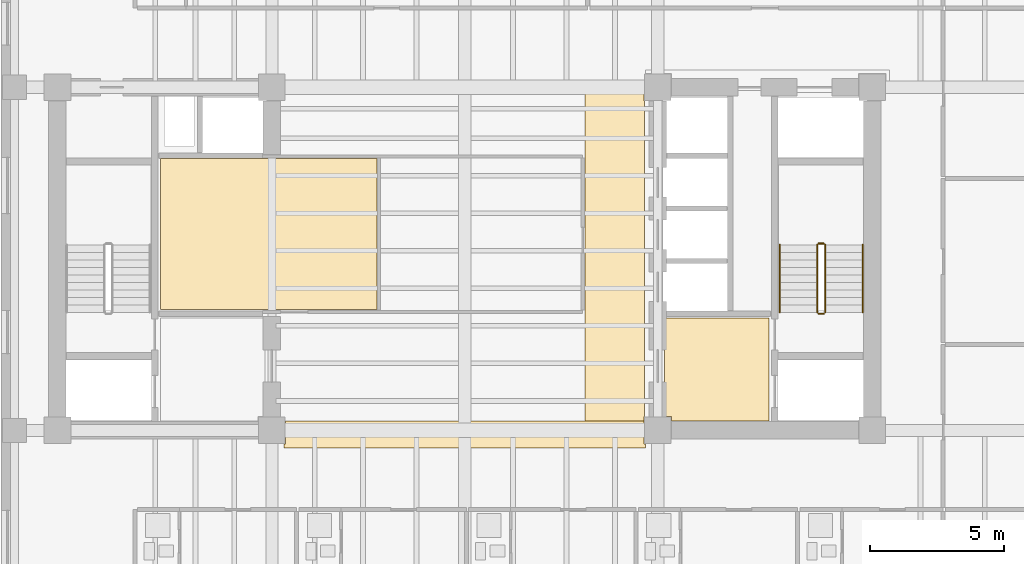
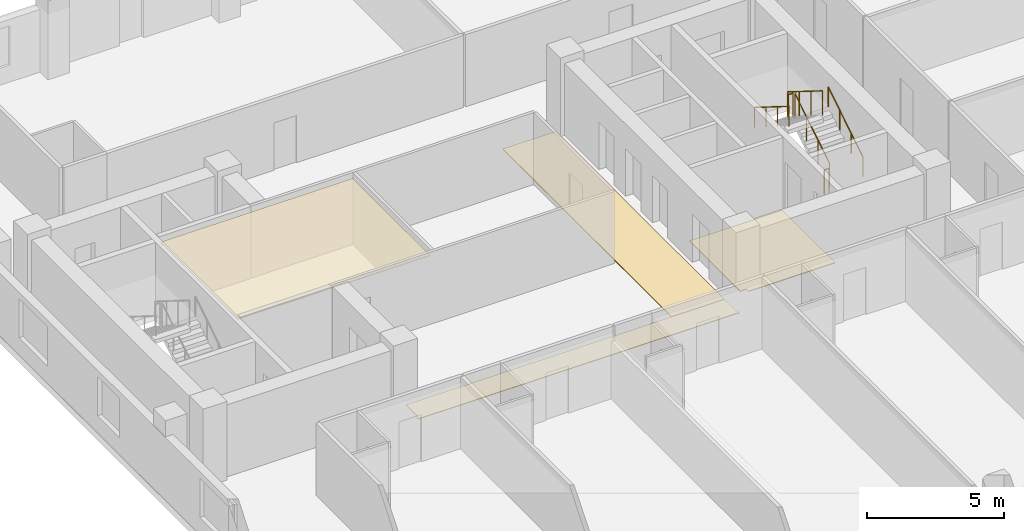
# One storey, part 8 of 10: 6 railings, 4 coverings.
"""IFC4 building model written with IfcOpenShell, lengths in metres."""

from ifc_helpers import new_model, si_unit, direction, frame, origin, origin_2d, place, context, subcontext, project, spatial, polyline, circle, outline, extrude, material, layer, layer_set, type_object, element, save


model = new_model("IFC4")

# Units and contexts
model_context = context("Model", 3, precision=1e-05, world=origin(), true_north=direction((0.0, 1.0)))
body_context = subcontext(model_context, "Body", "Model", "MODEL_VIEW")
ifc_project = project(units=[si_unit("LENGTHUNIT", "METRE"), si_unit("AREAUNIT", "SQUARE_METRE"), si_unit("VOLUMEUNIT", "CUBIC_METRE"), si_unit("PLANEANGLEUNIT", "RADIAN"), si_unit("MASSUNIT", "GRAM", prefix="KILO")], contexts=[model_context])

# Site, building, storey
site_placement = place(None, origin())
site = spatial("IfcSite", under=ifc_project, at=site_placement, CompositionType="ELEMENT")
building_placement = place(site_placement, origin())
building = spatial("IfcBuilding", under=site, at=building_placement, Name="Kranthara Brick Stack", CompositionType="ELEMENT")
storey_placement = place(building_placement, frame((0.0, 0.0, 151.800048828125)))
storey = spatial("IfcBuildingStorey", under=building, at=storey_placement, Name="L38", CompositionType="ELEMENT", Elevation=151.800048828125)

# Coverings
ifc_material_1 = material(Name="Perforated mineral-fibre acoustic ceiling tile", Category="other")
ifc_layer_1 = layer(ifc_material_1, 0.02490234375)
ifc_layer_set_1 = layer_set([ifc_layer_1], Name="Perforated mineral-fibre acoustic ceiling tile")
covering_type_1 = type_object("IfcCoveringType", Name="COV-CEIL-ACOUSTIC", PredefinedType="CEILING", material=ifc_layer_set_1)
covering_1_placement = place(storey_placement, frame((0.0, 0.0, 2.929931640625)))
element("IfcCovering", 1, at=covering_1_placement, inside=storey, type_object=covering_type_1, Name="L38 L38 Hotel Club Reading Lounge Acoustic Ceiling", PredefinedType="CEILING", context=body_context, shape_type="SweptSolid", body=[
    extrude(outline(polyline([(24.719970703125, 25.300048828125), (24.719970703125, 30.93994140625), (16.64990234375, 30.93994140625), (16.64990234375, 25.300048828125), (24.719970703125, 25.300048828125)])), origin(), (0.0, 0.0, 1.0), 0.02490234375),
])
ifc_material_2 = material(Name="Honed terrazzo and porcelain floor finish", Category="stone")
ifc_layer_2 = layer(ifc_material_2, 0.030029296875)
ifc_layer_set_2 = layer_set([ifc_layer_2], Name="Honed terrazzo and porcelain floor finish")
covering_type_2 = type_object("IfcCoveringType", Name="COV-FLOR-STONE", PredefinedType="FLOORING", material=ifc_layer_set_2)
covering_2_placement = place(storey_placement, origin())
element("IfcCovering", 2, at=covering_2_placement, inside=storey, type_object=covering_type_2, Name="L38 Lift Lobby Stone Flooring", PredefinedType="FLOORING", context=body_context, shape_type="SweptSolid", body=[
    extrude(outline(polyline([(35.449951171875, 25.0), (39.35009765625, 25.0), (39.35009765625, 21.14990234375), (35.7099609375, 21.14990234375), (35.7099609375, 21.31005859375), (35.449951171875, 21.31005859375), (35.449951171875, 25.0)])), origin(), (0.0, 0.0, 1.0), 0.030029296875),
])
covering_3_placement = place(storey_placement, origin())
element("IfcCovering", 3, at=covering_3_placement, inside=storey, type_object=covering_type_2, Name="L38 Lift Lobby Stone Flooring", PredefinedType="FLOORING", context=body_context, shape_type="SweptSolid", body=[
    extrude(outline(polyline([(32.47998046875, 33.449951171875), (34.68994140625, 33.449951171875), (34.68994140625, 33.090087890625), (34.699951171875, 33.090087890625), (34.699951171875, 21.31005859375), (34.68994140625, 21.31005859375), (34.68994140625, 21.14990234375), (32.47998046875, 21.14990234375), (32.47998046875, 33.449951171875)])), origin(), (0.0, 0.0, 1.0), 0.030029296875),
])
covering_4_placement = place(storey_placement, origin())
element("IfcCovering", 4, at=covering_4_placement, inside=storey, type_object=covering_type_2, Name="L38 Lift Lobby Stone Flooring", PredefinedType="FLOORING", context=body_context, shape_type="SweptSolid", body=[
    extrude(outline(polyline([(21.25, 20.2900390625), (21.31005859375, 20.2900390625), (21.31005859375, 21.14990234375), (32.47998046875, 21.14990234375), (34.68994140625, 21.14990234375), (34.68994140625, 20.2900390625), (34.75, 20.2900390625), (34.75, 20.14990234375), (21.25, 20.14990234375), (21.25, 20.2900390625)])), origin(), (0.0, 0.0, 1.0), 0.030029296875),
])

# Railings
ifc_material_3 = material(Name="Painted galvanized steel stair guardrail", Category="steel")
railing_type_1 = type_object("IfcRailingType", Name="RL-STAIR-GUARD-1100", PredefinedType="GUARDRAIL", material=ifc_material_3)
railing_1_placement = place(storey_placement, frame((41.449951171875, 25.199951171875, 0.175048828125)))
element("IfcRailing", 5, at=railing_1_placement, inside=storey, type_object=railing_type_1, Name="L38 ST02 stair guard 1", PredefinedType="GUARDRAIL", context=body_context, shape_type="SweptSolid", body=[
    extrude(circle(Radius=0.02392578125, at=origin_2d()), frame((0.0, 0.0, 1.076171875), z_axis=(0.0, 0.848007534815, 0.529984170421), x_axis=(-1.0, 0.0, 0.0)), (0.0, 0.0, 1.0), 2.9716796875),
    extrude(circle(Radius=0.02099609375, at=origin_2d()), origin(), (0.0, 0.0, 1.0), 1.052001953125),
    extrude(circle(Radius=0.02099609375, at=origin_2d()), frame((0.0, 0.840087890625, 0.52490234375)), (0.0, 0.0, 1.0), 1.052001953125),
    extrude(circle(Radius=0.02099609375, at=origin_2d()), frame((0.0, 1.679931640625, 1.050048828125)), (0.0, 0.0, 1.0), 1.052001953125),
    extrude(circle(Radius=0.02099609375, at=origin_2d()), frame((0.0, 2.52001953125, 1.574951171875)), (0.0, 0.0, 1.0), 1.052001953125),
])
railing_2_placement = place(storey_placement, frame((41.39990234375, 27.77001953125, 1.75)))
element("IfcRailing", 6, at=railing_2_placement, inside=storey, type_object=railing_type_1, Name="L38 ST02 stair guard 2", PredefinedType="GUARDRAIL", context=body_context, shape_type="SweptSolid", body=[
    extrude(circle(Radius=0.02392578125, at=origin_2d()), frame((0.0, 0.0, 1.076171875), z_axis=(-1.0, 0.0, 0.0), x_axis=(0.0, -1.0, 0.0)), (0.0, 0.0, 1.0), 0.199951171875),
    extrude(circle(Radius=0.02099609375, at=origin_2d()), origin(), (0.0, 0.0, 1.0), 1.052001953125),
    extrude(circle(Radius=0.02099609375, at=origin_2d()), frame((-0.199951171875, 0.0, 0.0)), (0.0, 0.0, 1.0), 1.052001953125),
])
railing_3_placement = place(storey_placement, frame((41.14990234375, 27.719970703125, 1.925048828125)))
element("IfcRailing", 7, at=railing_3_placement, inside=storey, type_object=railing_type_1, Name="L38 ST02 stair guard 3", PredefinedType="GUARDRAIL", context=body_context, shape_type="SweptSolid", body=[
    extrude(circle(Radius=0.02392578125, at=origin_2d()), frame((0.0, 0.0, 1.076171875), z_axis=(0.0, -0.848007534815, 0.529984170421), x_axis=(1.0, 0.0, 0.0)), (0.0, 0.0, 1.0), 2.9716796875),
    extrude(circle(Radius=0.02099609375, at=origin_2d()), origin(), (0.0, 0.0, 1.0), 1.052001953125),
    extrude(circle(Radius=0.02099609375, at=origin_2d()), frame((0.0, -0.840087890625, 0.52490234375)), (0.0, 0.0, 1.0), 1.052001953125),
    extrude(circle(Radius=0.02099609375, at=origin_2d()), frame((0.0, -1.679931640625, 1.050048828125)), (0.0, 0.0, 1.0), 1.052001953125),
    extrude(circle(Radius=0.02099609375, at=origin_2d()), frame((0.0, -2.52001953125, 1.574951171875)), (0.0, 0.0, 1.0), 1.052001953125),
])
railing_4_placement = place(storey_placement, frame((41.39990234375, 25.14990234375, 0.0)))
element("IfcRailing", 8, at=railing_4_placement, inside=storey, type_object=railing_type_1, Name="L38 ST02 stair guard 4", PredefinedType="GUARDRAIL", context=body_context, shape_type="SweptSolid", body=[
    extrude(circle(Radius=0.02392578125, at=origin_2d()), frame((0.0, 0.0, 1.076171875), z_axis=(-1.0, 0.0, 0.0), x_axis=(0.0, -1.0, 0.0)), (0.0, 0.0, 1.0), 0.199951171875),
    extrude(circle(Radius=0.02099609375, at=origin_2d()), origin(), (0.0, 0.0, 1.0), 1.052001953125),
    extrude(circle(Radius=0.02099609375, at=origin_2d()), frame((-0.199951171875, 0.0, 0.0)), (0.0, 0.0, 1.0), 1.052001953125),
])
ifc_material_4 = material(Name="Brushed stainless steel tubular handrail", Category="steel")
railing_type_2 = type_object("IfcRailingType", Name="RL-STAIR-HAND-900", PredefinedType="HANDRAIL", material=ifc_material_4)
railing_5_placement = place(storey_placement, frame((42.85009765625, 25.199951171875, 0.175048828125)))
element("IfcRailing", 9, at=railing_5_placement, inside=storey, type_object=railing_type_2, Name="L38 ST02 stair handrail 1", PredefinedType="HANDRAIL", context=body_context, shape_type="SweptSolid", body=[
    extrude(circle(Radius=0.02392578125, at=origin_2d()), frame((0.0, 0.0, 0.8759765625), z_axis=(0.0, 0.848007534815, 0.529984170421), x_axis=(-1.0, 0.0, 0.0)), (0.0, 0.0, 1.0), 2.9716796875),
    extrude(circle(Radius=0.02099609375, at=origin_2d()), origin(), (0.0, 0.0, 1.0), 0.851806640625),
    extrude(circle(Radius=0.02099609375, at=origin_2d()), frame((0.0, 0.840087890625, 0.52490234375)), (0.0, 0.0, 1.0), 0.851806640625),
    extrude(circle(Radius=0.02099609375, at=origin_2d()), frame((0.0, 1.679931640625, 1.050048828125)), (0.0, 0.0, 1.0), 0.851806640625),
    extrude(circle(Radius=0.02099609375, at=origin_2d()), frame((0.0, 2.52001953125, 1.574951171875)), (0.0, 0.0, 1.0), 0.851806640625),
])
railing_6_placement = place(storey_placement, frame((39.75, 27.719970703125, 1.925048828125)))
element("IfcRailing", 10, at=railing_6_placement, inside=storey, type_object=railing_type_2, Name="L38 ST02 stair handrail 2", PredefinedType="HANDRAIL", context=body_context, shape_type="SweptSolid", body=[
    extrude(circle(Radius=0.02392578125, at=origin_2d()), frame((0.0, 0.0, 0.8759765625), z_axis=(0.0, -0.848007534815, 0.529984170421), x_axis=(1.0, 0.0, 0.0)), (0.0, 0.0, 1.0), 2.9716796875),
    extrude(circle(Radius=0.02099609375, at=origin_2d()), origin(), (0.0, 0.0, 1.0), 0.851806640625),
    extrude(circle(Radius=0.02099609375, at=origin_2d()), frame((0.0, -0.840087890625, 0.52490234375)), (0.0, 0.0, 1.0), 0.851806640625),
    extrude(circle(Radius=0.02099609375, at=origin_2d()), frame((0.0, -1.679931640625, 1.050048828125)), (0.0, 0.0, 1.0), 0.851806640625),
    extrude(circle(Radius=0.02099609375, at=origin_2d()), frame((0.0, -2.52001953125, 1.574951171875)), (0.0, 0.0, 1.0), 0.851806640625),
])

save(model, "model.ifc")
